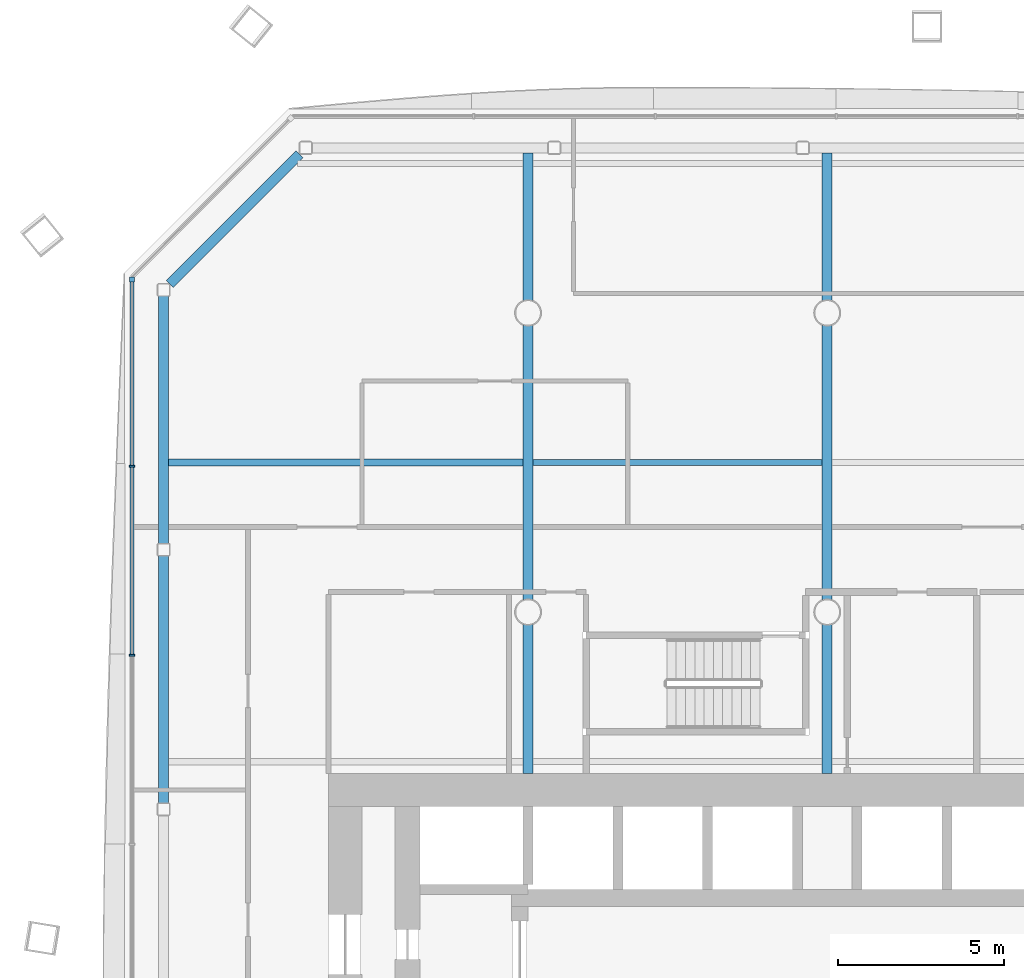
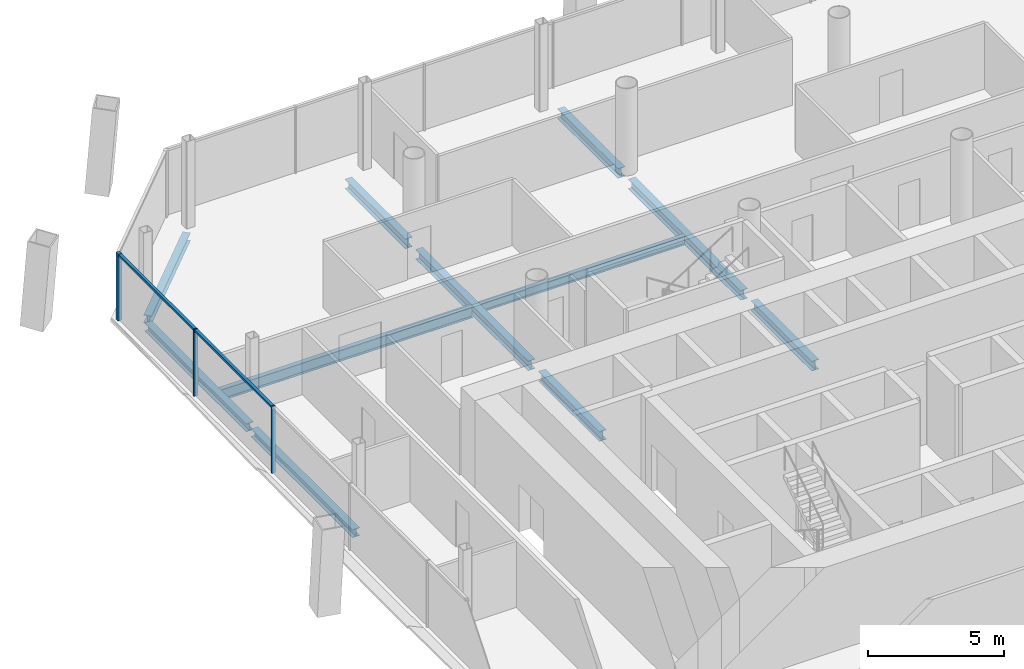
# One storey, part 7 of 19: 11 beams, 5 members, 1 element without a shape of its own.
"""IFC4 building model written with IfcOpenShell, lengths in metres."""

from ifc_helpers import new_model, si_unit, direction, frame, origin, origin_2d, place, context, subcontext, project, spatial, rectangle, i_section, extrude, material, material_profile, profile_set, type_object, element, aggregate, save


model = new_model("IFC4")

# Units and contexts
model_context = context("Model", 3, precision=1e-05, world=origin(), true_north=direction((0.0, 1.0)))
body_context = subcontext(model_context, "Body", "Model", "MODEL_VIEW")
ifc_project = project(units=[si_unit("LENGTHUNIT", "METRE"), si_unit("AREAUNIT", "SQUARE_METRE"), si_unit("VOLUMEUNIT", "CUBIC_METRE"), si_unit("PLANEANGLEUNIT", "RADIAN"), si_unit("MASSUNIT", "GRAM", prefix="KILO")], contexts=[model_context])

# Site, building, storey
site_placement = place(None, origin())
site = spatial("IfcSite", under=ifc_project, at=site_placement, CompositionType="ELEMENT")
building_placement = place(site_placement, origin())
building = spatial("IfcBuilding", under=site, at=building_placement, Name="Tskaro Facet Tower", CompositionType="ELEMENT")
storey_placement = place(building_placement, frame((0.0, 0.0, 105.0)))
storey = spatial("IfcBuildingStorey", under=building, at=storey_placement, Name="L25", CompositionType="ELEMENT", Elevation=105.0)

# Curtain wall, members
ifc_material_1 = material(Name="Bronze anodised aluminium 6063-T6", Category="aluminium")
curtain_wall_type = type_object("IfcCurtainWallType", Name="Bronze office curtain wall (FW1)", PredefinedType="NOTDEFINED", material=ifc_material_1)
curtain_wall_placement = place(storey_placement, origin())
curtain_wall = element("IfcCurtainWall", 1, at=curtain_wall_placement, inside=storey, type_object=curtain_wall_type, Name="FW1 west facet L25", PredefinedType="NOTDEFINED")
ifc_material_profile_1 = material_profile(ifc_material_1, rectangle(XDim=0.159912109375, YDim=0.159912109375, at=origin_2d()), Name="Corner post 160x160")
ifc_profile_set_1 = profile_set([ifc_material_profile_1], Name="Bronze anodised aluminium 6063-T6")
member_type_1 = type_object("IfcMemberType", Name="FW1 bronze corner post 160x160", PredefinedType="MULLION", material=ifc_profile_set_1)
member_1_placement = place(storey_placement, frame((-20.9150390625, 19.0029296875, 0.0), z_axis=(0.0, 0.0, 1.0), x_axis=(0.0, -1.0, 0.0)))
member_1 = element("IfcMember", 2, at=member_1_placement, type_object=member_type_1, Name="FW1 west corner post", PredefinedType="MULLION", context=body_context, shape_type="SweptSolid", body=[
    extrude(rectangle(XDim=0.159912109375, YDim=0.159912109375, at=origin_2d()), origin(), (0.0, 0.0, 1.0), 2.989990234375),
])
ifc_material_profile_2 = material_profile(ifc_material_1, rectangle(XDim=0.06005859375, YDim=0.159912109375, at=origin_2d()), Name="Mullion 60x160")
ifc_profile_set_2 = profile_set([ifc_material_profile_2], Name="Bronze anodised aluminium 6063-T6")
member_type_2 = type_object("IfcMemberType", Name="FW1 bronze mullion 60x160", PredefinedType="MULLION", material=ifc_profile_set_2)
member_2_placement = place(storey_placement, frame((-20.9150390625, 13.3916015625, 0.0), z_axis=(0.0, 0.0, 1.0), x_axis=(0.0, -1.0, 0.0)))
member_2 = element("IfcMember", 3, at=member_2_placement, type_object=member_type_2, Name="FW1 west mullion 1", PredefinedType="MULLION", context=body_context, shape_type="SweptSolid", body=[
    extrude(rectangle(XDim=0.06005859375, YDim=0.159912109375, at=origin_2d()), origin(), (0.0, 0.0, 1.0), 2.989990234375),
])
member_3_placement = place(storey_placement, frame((-20.9150390625, 7.7001953125, 0.0), z_axis=(0.0, 0.0, 1.0), x_axis=(0.0, -1.0, 0.0)))
member_3 = element("IfcMember", 4, at=member_3_placement, type_object=member_type_2, Name="FW1 west mullion 2", PredefinedType="MULLION", context=body_context, shape_type="SweptSolid", body=[
    extrude(rectangle(XDim=0.06005859375, YDim=0.159912109375, at=origin_2d()), origin(), (0.0, 0.0, 1.0), 2.989990234375),
])
ifc_material_profile_3 = material_profile(ifc_material_1, rectangle(XDim=0.1201171875, YDim=0.10009765625, at=origin_2d()), Name="Transom 120x100")
ifc_profile_set_3 = profile_set([ifc_material_profile_3], Name="Bronze anodised aluminium 6063-T6")
member_type_3 = type_object("IfcMemberType", Name="FW1 bronze transom 120x100", PredefinedType="USERDEFINED", material=ifc_profile_set_3)
member_4_placement = place(storey_placement, frame((-20.9150390625, 18.923095703125, 2.93994140625), z_axis=(0.0, -1.0, 0.0), x_axis=(1.0, 0.0, 0.0)))
member_4 = element("IfcMember", 5, at=member_4_placement, type_object=member_type_3, Name="FW1 west transom 1.1", ObjectType="TRANSOM", PredefinedType="USERDEFINED", context=body_context, shape_type="SweptSolid", body=[
    extrude(rectangle(XDim=0.1201171875, YDim=0.10009765625, at=origin_2d()), origin(), (0.0, 0.0, 1.0), 5.50146484375),
])
member_5_placement = place(storey_placement, frame((-20.9150390625, 13.361572265625, 2.93994140625), z_axis=(0.0, -1.0, 0.0), x_axis=(1.0, 0.0, 0.0)))
member_5 = element("IfcMember", 6, at=member_5_placement, type_object=member_type_3, Name="FW1 west transom 2.1", ObjectType="TRANSOM", PredefinedType="USERDEFINED", context=body_context, shape_type="SweptSolid", body=[
    extrude(rectangle(XDim=0.1201171875, YDim=0.10009765625, at=origin_2d()), origin(), (0.0, 0.0, 1.0), 5.63134765625),
])
aggregate(curtain_wall, [member_1, member_2, member_3, member_4, member_5])

# Beams
ifc_material_2 = material(Name="Steel S355J2", Category="steel")
ifc_material_profile_4 = material_profile(ifc_material_2, i_section(OverallWidth=0.300048828125, OverallDepth=0.360107421875, WebThickness=0.012451171875, FlangeThickness=0.0224609375, FilletRadius=0.027099609375, at=origin_2d()), Name="HE 360 B")
ifc_profile_set_4 = profile_set([ifc_material_profile_4], Name="Steel S355J2")
beam_type_1 = type_object("IfcBeamType", Name="HE 360 B ring beam", PredefinedType="BEAM", material=ifc_profile_set_4)
beam_1_placement = place(storey_placement, frame((-15.8759765625, 22.779052734375, -0.320068359375), z_axis=(-0.707106781187, -0.707106781187, 0.0), x_axis=(0.707106781187, -0.707106781187, 0.0)))
element("IfcBeam", 7, at=beam_1_placement, inside=storey, type_object=beam_type_1, Name="HE 360 B EB18-2", PredefinedType="BEAM", context=body_context, shape_type="SweptSolid", body=[
    extrude(i_section(OverallWidth=0.300048828125, OverallDepth=0.360107421875, WebThickness=0.012451171875, FlangeThickness=0.0224609375, FilletRadius=0.027099609375, at=origin_2d()), origin(), (0.0, 0.0, 1.0), 5.519775390625),
])
for number, where, z_axis, x_axis, name in (
    (8, (-19.965087890625, 18.510009765625, -0.320068359375), (0.0, -1.0, 0.0), (1.0, 0.0, 0.0), "HE 360 B EB19-2"),
    (9, (-19.965087890625, 10.698974609375, -0.320068359375), (0.0, -1.0, 0.0), (1.0, 0.0, 0.0), "HE 360 B EB20-2"),
):
    element("IfcBeam", number, at=place(storey_placement, frame(where, z_axis=z_axis, x_axis=x_axis)), inside=storey, type_object=beam_type_1, Name=name, PredefinedType="BEAM", context=body_context, shape_type="SweptSolid", body=[
        extrude(i_section(OverallWidth=0.300048828125, OverallDepth=0.360107421875, WebThickness=0.012451171875, FlangeThickness=0.0224609375, FilletRadius=0.027099609375, at=origin_2d()), origin(), (0.0, 0.0, 1.0), 7.450927734375),
    ])
ifc_material_profile_5 = material_profile(ifc_material_2, i_section(OverallWidth=0.300048828125, OverallDepth=0.43994140625, WebThickness=0.011474609375, FlangeThickness=0.02099609375, FilletRadius=0.027099609375, at=origin_2d()), Name="HE 450 A")
ifc_profile_set_5 = profile_set([ifc_material_profile_5], Name="Steel S355J2")
beam_type_2 = type_object("IfcBeamType", Name="HE 450 A girder", PredefinedType="BEAM", material=ifc_profile_set_5)
beam_2_placement = place(storey_placement, frame((-9.0, 4.14990234375, -0.360107421875), z_axis=(0.0, 1.0, 0.0), x_axis=(-1.0, 0.0, 0.0)))
element("IfcBeam", 10, at=beam_2_placement, inside=storey, type_object=beam_type_2, Name="HE 450 A GB3-3-2", PredefinedType="BEAM", context=body_context, shape_type="SweptSolid", body=[
    extrude(i_section(OverallWidth=0.300048828125, OverallDepth=0.43994140625, WebThickness=0.011474609375, FlangeThickness=0.02099609375, FilletRadius=0.027099609375, at=origin_2d()), origin(), (0.0, 0.0, 1.0), 4.4736328125),
])
beam_3_placement = place(storey_placement, frame((-9.0, 9.37646484375, -0.360107421875), z_axis=(0.0, 1.0, 0.0), x_axis=(-1.0, 0.0, 0.0)))
element("IfcBeam", 11, at=beam_3_placement, inside=storey, type_object=beam_type_2, Name="HE 450 A GB3-4-2", PredefinedType="BEAM", context=body_context, shape_type="SweptSolid", body=[
    extrude(i_section(OverallWidth=0.300048828125, OverallDepth=0.43994140625, WebThickness=0.011474609375, FlangeThickness=0.02099609375, FilletRadius=0.027099609375, at=origin_2d()), origin(), (0.0, 0.0, 1.0), 8.2470703125),
])
beam_4_placement = place(storey_placement, frame((-9.0, 18.37646484375, -0.360107421875), z_axis=(0.0, 1.0, 0.0), x_axis=(-1.0, 0.0, 0.0)))
element("IfcBeam", 12, at=beam_4_placement, inside=storey, type_object=beam_type_2, Name="HE 450 A GB3-5-2", PredefinedType="BEAM", context=body_context, shape_type="SweptSolid", body=[
    extrude(i_section(OverallWidth=0.300048828125, OverallDepth=0.43994140625, WebThickness=0.011474609375, FlangeThickness=0.02099609375, FilletRadius=0.027099609375, at=origin_2d()), origin(), (0.0, 0.0, 1.0), 4.4384765625),
])
beam_5_placement = place(storey_placement, frame((0.0, 4.14990234375, -0.360107421875), z_axis=(0.0, 1.0, 0.0), x_axis=(-1.0, 0.0, 0.0)))
element("IfcBeam", 13, at=beam_5_placement, inside=storey, type_object=beam_type_2, Name="HE 450 A GB4-3-2", PredefinedType="BEAM", context=body_context, shape_type="SweptSolid", body=[
    extrude(i_section(OverallWidth=0.300048828125, OverallDepth=0.43994140625, WebThickness=0.011474609375, FlangeThickness=0.02099609375, FilletRadius=0.027099609375, at=origin_2d()), origin(), (0.0, 0.0, 1.0), 4.4736328125),
])
beam_6_placement = place(storey_placement, frame((0.0, 9.37646484375, -0.360107421875), z_axis=(0.0, 1.0, 0.0), x_axis=(-1.0, 0.0, 0.0)))
element("IfcBeam", 14, at=beam_6_placement, inside=storey, type_object=beam_type_2, Name="HE 450 A GB4-4-2", PredefinedType="BEAM", context=body_context, shape_type="SweptSolid", body=[
    extrude(i_section(OverallWidth=0.300048828125, OverallDepth=0.43994140625, WebThickness=0.011474609375, FlangeThickness=0.02099609375, FilletRadius=0.027099609375, at=origin_2d()), origin(), (0.0, 0.0, 1.0), 8.2470703125),
])
beam_7_placement = place(storey_placement, frame((0.0, 18.37646484375, -0.360107421875), z_axis=(0.0, 1.0, 0.0), x_axis=(-1.0, 0.0, 0.0)))
element("IfcBeam", 15, at=beam_7_placement, inside=storey, type_object=beam_type_2, Name="HE 450 A GB4-5-2", PredefinedType="BEAM", context=body_context, shape_type="SweptSolid", body=[
    extrude(i_section(OverallWidth=0.300048828125, OverallDepth=0.43994140625, WebThickness=0.011474609375, FlangeThickness=0.02099609375, FilletRadius=0.027099609375, at=origin_2d()), origin(), (0.0, 0.0, 1.0), 4.4384765625),
])
ifc_material_profile_6 = material_profile(ifc_material_2, i_section(OverallWidth=0.179931640625, OverallDepth=0.39990234375, WebThickness=0.008544921875, FlangeThickness=0.013427734375, FilletRadius=0.02099609375, at=origin_2d()), Name="IPE 400")
ifc_profile_set_6 = profile_set([ifc_material_profile_6], Name="Steel S355J2")
beam_type_3 = type_object("IfcBeamType", Name="IPE 400 secondary beam", PredefinedType="BEAM", material=ifc_profile_set_6)
beam_8_placement = place(storey_placement, frame((-8.85009765625, 13.5, -0.340087890625), z_axis=(1.0, 0.0, 0.0), x_axis=(0.0, 1.0, 0.0)))
element("IfcBeam", 16, at=beam_8_placement, inside=storey, type_object=beam_type_3, Name="IPE 400 SB5a-2-2", PredefinedType="BEAM", context=body_context, shape_type="SweptSolid", body=[
    extrude(i_section(OverallWidth=0.179931640625, OverallDepth=0.39990234375, WebThickness=0.008544921875, FlangeThickness=0.013427734375, FilletRadius=0.02099609375, at=origin_2d()), origin(), (0.0, 0.0, 1.0), 8.7001953125),
])
ifc_material_profile_7 = material_profile(ifc_material_2, i_section(OverallWidth=0.199951171875, OverallDepth=0.5, WebThickness=0.01025390625, FlangeThickness=0.01611328125, FilletRadius=0.02099609375, at=origin_2d()), Name="IPE 500")
ifc_profile_set_7 = profile_set([ifc_material_profile_7], Name="Steel S355J2")
beam_type_4 = type_object("IfcBeamType", Name="IPE 500 long secondary beam", PredefinedType="BEAM", material=ifc_profile_set_7)
beam_9_placement = place(storey_placement, frame((-19.81494140625, 13.5, -0.389892578125), z_axis=(1.0, 0.0, 0.0), x_axis=(0.0, 1.0, 0.0)))
element("IfcBeam", 17, at=beam_9_placement, inside=storey, type_object=beam_type_4, Name="IPE 500 LSB5a-1-2", PredefinedType="BEAM", context=body_context, shape_type="SweptSolid", body=[
    extrude(i_section(OverallWidth=0.199951171875, OverallDepth=0.5, WebThickness=0.01025390625, FlangeThickness=0.01611328125, FilletRadius=0.02099609375, at=origin_2d()), origin(), (0.0, 0.0, 1.0), 10.6650390625),
])

save(model, "model.ifc")
